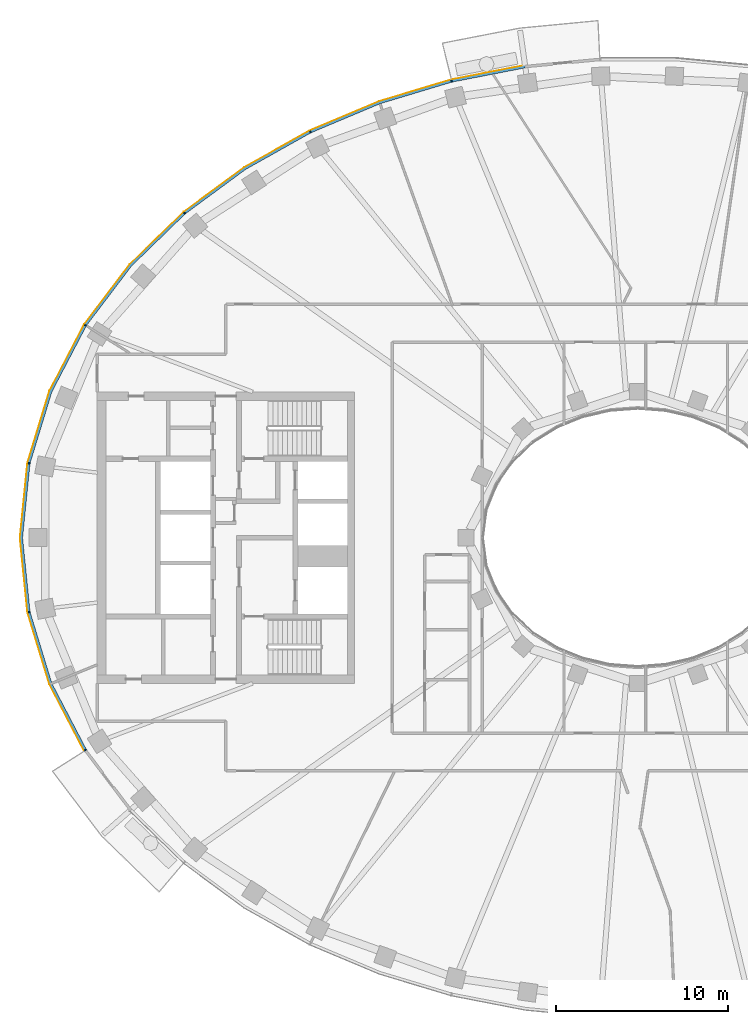
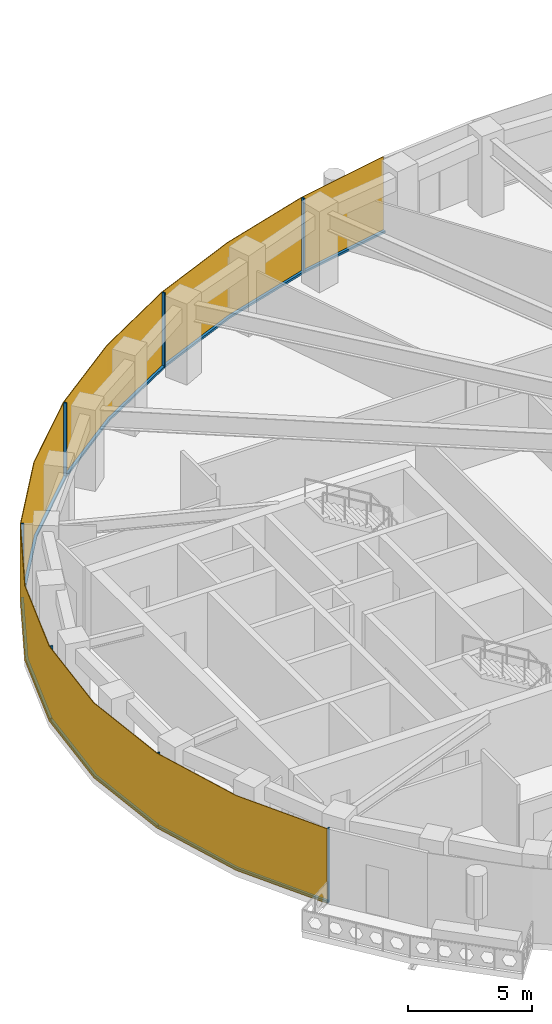
# One storey, part 11 of 16: 14 members, 1 curtain wall.
"""IFC4 building model written with IfcOpenShell, lengths in metres."""

from ifc_helpers import new_model, si_unit, direction, frame, origin, origin_2d, place, context, subcontext, project, spatial, polyline, rectangle, outline, extrude, material, layer, layer_set, material_profile, profile_set, type_object, element, aggregate, save


model = new_model("IFC4")

# Units and contexts
model_context = context("Model", 3, precision=1e-05, world=origin(), true_north=direction((0.0, 1.0)))
body_context = subcontext(model_context, "Body", "Model", "MODEL_VIEW")
ifc_project = project(units=[si_unit("LENGTHUNIT", "METRE"), si_unit("AREAUNIT", "SQUARE_METRE"), si_unit("VOLUMEUNIT", "CUBIC_METRE"), si_unit("PLANEANGLEUNIT", "RADIAN"), si_unit("MASSUNIT", "GRAM", prefix="KILO")], contexts=[model_context])

# Member
ifc_material_1 = material(Name="Aluminium 6063-T6 black anodised", Category="aluminium")
ifc_material_profile = material_profile(ifc_material_1, rectangle(XDim=0.1201171875, YDim=0.06005859375, at=origin_2d()), Name="120x60")
ifc_profile_set = profile_set([ifc_material_profile], Name="Aluminium 6063-T6 black anodised")
member_type_1 = type_object("IfcMemberType", Name="ENV-MULLION-A-120", PredefinedType="MULLION", material=ifc_profile_set)
site_placement = place(None, origin())
building_placement = place(site_placement, origin())
storey_placement = place(building_placement, frame((0.0, 0.0, 281.5)))
member_1_placement = place(storey_placement, frame((-10.84326171875, 26.60498046875, 0.0), z_axis=(0.0, 0.0, 1.0), x_axis=(0.239799081534, -0.970822538106, 0.0)))
member_1 = element("IfcMember", 1, at=member_1_placement, type_object=member_type_1, Name="Mullion A radial 15", PredefinedType="MULLION", context=body_context, shape_type="SweptSolid", body=[
    extrude(rectangle(XDim=0.1201171875, YDim=0.06005859375, at=origin_2d()), origin(), (0.0, 0.0, 1.0), 3.699951171875),
])

member_2_placement = place(storey_placement, frame((-19.06787109375, 23.6474609375, 0.0), z_axis=(0.0, 0.0, 1.0), x_axis=(0.439237769837, -0.898370848563, 0.0)))
member_2 = element("IfcMember", 2, at=member_2_placement, type_object=member_type_1, Name="Mullion A radial 17", PredefinedType="MULLION", context=body_context, shape_type="SweptSolid", body=[
    extrude(rectangle(XDim=0.1201171875, YDim=0.06005859375, at=origin_2d()), origin(), (0.0, 0.0, 1.0), 3.699951171875),
])

member_3_placement = place(storey_placement, frame((-26.403564453125, 18.9130859375, 0.0), z_axis=(0.0, 0.0, 1.0), x_axis=(0.646451313783, -0.762955240435, 0.0)))
member_3 = element("IfcMember", 3, at=member_3_placement, type_object=member_type_1, Name="Mullion A radial 19", PredefinedType="MULLION", context=body_context, shape_type="SweptSolid", body=[
    extrude(rectangle(XDim=0.1201171875, YDim=0.06005859375, at=origin_2d()), origin(), (0.0, 0.0, 1.0), 3.699951171875),
])

member_4_placement = place(storey_placement, frame((-32.177490234375, 12.385498046875, 0.0), z_axis=(0.0, 0.0, 1.0), x_axis=(0.844829880882, -0.53503501976, 0.0)))
member_4 = element("IfcMember", 4, at=member_4_placement, type_object=member_type_1, Name="Mullion A radial 21", PredefinedType="MULLION", context=body_context, shape_type="SweptSolid", body=[
    extrude(rectangle(XDim=0.1201171875, YDim=0.06005859375, at=origin_2d()), origin(), (0.0, 0.0, 1.0), 3.699951171875),
])

member_5_placement = place(storey_placement, frame((-35.470947265625, 4.340576171875, 0.0), z_axis=(0.0, 0.0, 1.0), x_axis=(0.980379083141, -0.19712141776, 0.0)))
member_5 = element("IfcMember", 5, at=member_5_placement, type_object=member_type_1, Name="Mullion A radial 23", PredefinedType="MULLION", context=body_context, shape_type="SweptSolid", body=[
    extrude(rectangle(XDim=0.1201171875, YDim=0.06005859375, at=origin_2d()), origin(), (0.0, 0.0, 1.0), 3.699951171875),
])

member_6_placement = place(storey_placement, frame((-35.470947265625, -4.340576171875, 0.0), z_axis=(0.0, 0.0, 1.0), x_axis=(0.980379083141, 0.19712141776, 0.0)))
member_6 = element("IfcMember", 6, at=member_6_placement, type_object=member_type_1, Name="Mullion A radial 25", PredefinedType="MULLION", context=body_context, shape_type="SweptSolid", body=[
    extrude(rectangle(XDim=0.1201171875, YDim=0.06005859375, at=origin_2d()), origin(), (0.0, 0.0, 1.0), 3.699951171875),
])

member_7_placement = place(storey_placement, frame((-32.177490234375, -12.385498046875, 0.0), z_axis=(0.0, 0.0, 1.0), x_axis=(0.844829880882, 0.53503501976, 0.0)))
member_7 = element("IfcMember", 7, at=member_7_placement, type_object=member_type_1, Name="Mullion A radial 27", PredefinedType="MULLION", context=body_context, shape_type="SweptSolid", body=[
    extrude(rectangle(XDim=0.1201171875, YDim=0.06005859375, at=origin_2d()), origin(), (0.0, 0.0, 1.0), 3.699951171875),
])

ifc_material_2 = material(Name="Aluminium 6063-T6 black anodised", Category="aluminium")
member_type_2 = type_object("IfcMemberType", Name="ENV-TRANSOM-A", PredefinedType="USERDEFINED", material=ifc_material_2)
member_8_placement = place(storey_placement, origin())
member_8 = element("IfcMember", 8, at=member_8_placement, type_object=member_type_2, Name="Transom A radial 14-15", ObjectType="TRANSOM", PredefinedType="USERDEFINED", context=body_context, shape_type="SweptSolid", body=[
    extrude(outline(polyline([(-6.57470703125, 27.49560546875), (-10.830078125, 26.66845703125), (-10.80126953125, 26.552001953125), (-6.5576171875, 27.376708984375), (-6.57470703125, 27.49560546875)])), origin(), (0.0, 0.0, 1.0), 0.10009765625),
])

member_9_placement = place(storey_placement, origin())
member_9 = element("IfcMember", 9, at=member_9_placement, type_object=member_type_2, Name="Transom A radial 15-17", ObjectType="TRANSOM", PredefinedType="USERDEFINED", context=body_context, shape_type="SweptSolid", body=[
    extrude(outline(polyline([(-10.884521484375, 26.655029296875), (-15.054443359375, 25.400146484375), (-19.068359375, 23.71240234375), (-19.015380859375, 23.604248046875), (-15.013916015625, 25.287109375), (-10.855712890625, 26.53857421875), (-10.884521484375, 26.655029296875)])), origin(), (0.0, 0.0, 1.0), 0.10009765625),
])

member_10_placement = place(storey_placement, origin())
member_10 = element("IfcMember", 10, at=member_10_placement, type_object=member_type_2, Name="Transom A radial 17-19", ObjectType="TRANSOM", PredefinedType="USERDEFINED", context=body_context, shape_type="SweptSolid", body=[
    extrude(outline(polyline([(-19.11865234375, 23.687744140625), (-22.9150390625, 21.556884765625), (-26.419921875, 18.975341796875), (-26.342041015625, 18.883544921875), (-22.85009765625, 21.455810546875), (-19.06591796875, 23.57958984375), (-19.11865234375, 23.687744140625)])), origin(), (0.0, 0.0, 1.0), 0.10009765625),
])

member_11_placement = place(storey_placement, origin())
member_11 = element("IfcMember", 11, at=member_11_placement, type_object=member_type_2, Name="Transom A radial 19-21", ObjectType="TRANSOM", PredefinedType="USERDEFINED", context=body_context, shape_type="SweptSolid", body=[
    extrude(outline(polyline([(-26.46240234375, 18.939208984375), (-29.58349609375, 15.906982421875), (-32.211181640625, 12.43994140625), (-32.109375, 12.37548828125), (-29.493408203125, 15.8271484375), (-26.384765625, 18.847412109375), (-26.46240234375, 18.939208984375)])), origin(), (0.0, 0.0, 1.0), 0.10009765625),
])

member_12_placement = place(storey_placement, origin())
member_12 = element("IfcMember", 12, at=member_12_placement, type_object=member_type_2, Name="Transom A radial 21-23", ObjectType="TRANSOM", PredefinedType="USERDEFINED", context=body_context, shape_type="SweptSolid", body=[
    extrude(outline(polyline([(-32.240966796875, 12.392578125), (-34.251220703125, 8.53662109375), (-35.521484375, 4.379150390625), (-35.4033203125, 4.355224609375), (-34.139892578125, 8.490966796875), (-32.139404296875, 12.328369140625), (-32.240966796875, 12.392578125)])), origin(), (0.0, 0.0, 1.0), 0.10009765625),
])

member_13_placement = place(storey_placement, origin())
member_13 = element("IfcMember", 13, at=member_13_placement, type_object=member_type_2, Name="Transom A radial 23-25", ObjectType="TRANSOM", PredefinedType="USERDEFINED", context=body_context, shape_type="SweptSolid", body=[
    extrude(outline(polyline([(-35.532470703125, 4.324462890625), (-35.9677734375, 0.0), (-35.532470703125, -4.324462890625), (-35.414306640625, -4.30078125), (-35.84716796875, 0.0), (-35.414306640625, 4.30078125), (-35.532470703125, 4.324462890625)])), origin(), (0.0, 0.0, 1.0), 0.10009765625),
])

member_14_placement = place(storey_placement, origin())
member_14 = element("IfcMember", 14, at=member_14_placement, type_object=member_type_2, Name="Transom A radial 25-27", ObjectType="TRANSOM", PredefinedType="USERDEFINED", context=body_context, shape_type="SweptSolid", body=[
    extrude(outline(polyline([(-35.521484375, -4.379150390625), (-34.251220703125, -8.53662109375), (-32.240966796875, -12.392578125), (-32.139404296875, -12.328369140625), (-34.139892578125, -8.490966796875), (-35.4033203125, -4.355224609375), (-35.521484375, -4.379150390625)])), origin(), (0.0, 0.0, 1.0), 0.10009765625),
])

# Site, building, storey
site = spatial("IfcSite", under=ifc_project, at=site_placement, CompositionType="ELEMENT")
building = spatial("IfcBuilding", under=site, at=building_placement, Name="Noorbagh Ring Tower", CompositionType="ELEMENT")
storey = spatial("IfcBuildingStorey", under=building, at=storey_placement, Name="L60", CompositionType="ELEMENT", Elevation=281.5)

# Curtain wall
ifc_material_3 = material(Name="Glass dark tinted laminated", Category="glass")
ifc_layer = layer(ifc_material_3, 0.031982421875)
ifc_layer_set = layer_set([ifc_layer], Name="Glass dark tinted laminated")
curtain_wall_type = type_object("IfcCurtainWallType", Name="ENV-CW-A", PredefinedType="NOTDEFINED", material=ifc_layer_set)
curtain_wall_placement = place(storey_placement, origin())
curtain_wall = element("IfcCurtainWall", 15, at=curtain_wall_placement, inside=storey, type_object=curtain_wall_type, Name="Curtain wall A R14", PredefinedType="NOTDEFINED", context=body_context, shape_type="SweptSolid", body=[
    extrude(outline(polyline([(-6.579345703125, 27.52734375), (-10.865234375, 26.6943359375), (-15.065185546875, 25.430419921875), (-19.108154296875, 23.730224609375), (-22.9326171875, 21.583740234375), (-26.463134765625, 18.9833984375), (-29.607666015625, 15.927978515625), (-32.255126953125, 12.434814453125), (-34.281005859375, 8.548828125), (-35.561279296875, 4.358642578125), (-36.0, 0.0), (-35.561279296875, -4.358642578125), (-34.281005859375, -8.548828125), (-32.264404296875, -12.4169921875), (-32.2373046875, -12.39990234375), (-34.251220703125, -8.53662109375), (-35.529541015625, -4.352294921875), (-35.9677734375, 0.0), (-35.529541015625, 4.352294921875), (-34.251220703125, 8.53662109375), (-32.22802734375, 12.41748046875), (-29.58349609375, 15.906982421875), (-26.4423828125, 18.958740234375), (-22.9150390625, 21.556884765625), (-19.093994140625, 23.701416015625), (-15.054443359375, 25.400146484375), (-10.857666015625, 26.6630859375), (-6.57470703125, 27.49560546875), (-6.579345703125, 27.52734375)])), origin(), (0.0, 0.0, 1.0), 3.699951171875),
])

aggregate(curtain_wall, [member_1, member_2, member_3, member_4, member_5, member_6, member_7, member_8, member_9, member_10, member_11, member_12, member_13, member_14])

save(model, "model.ifc")
